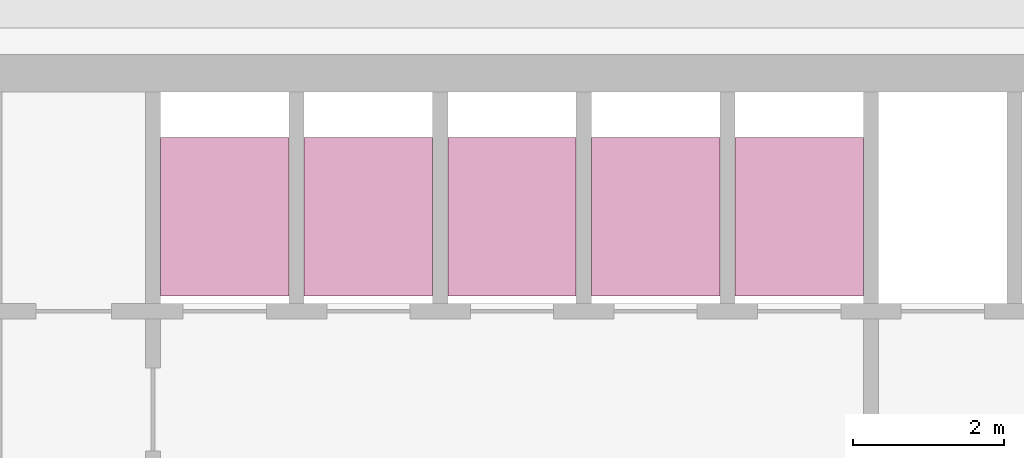
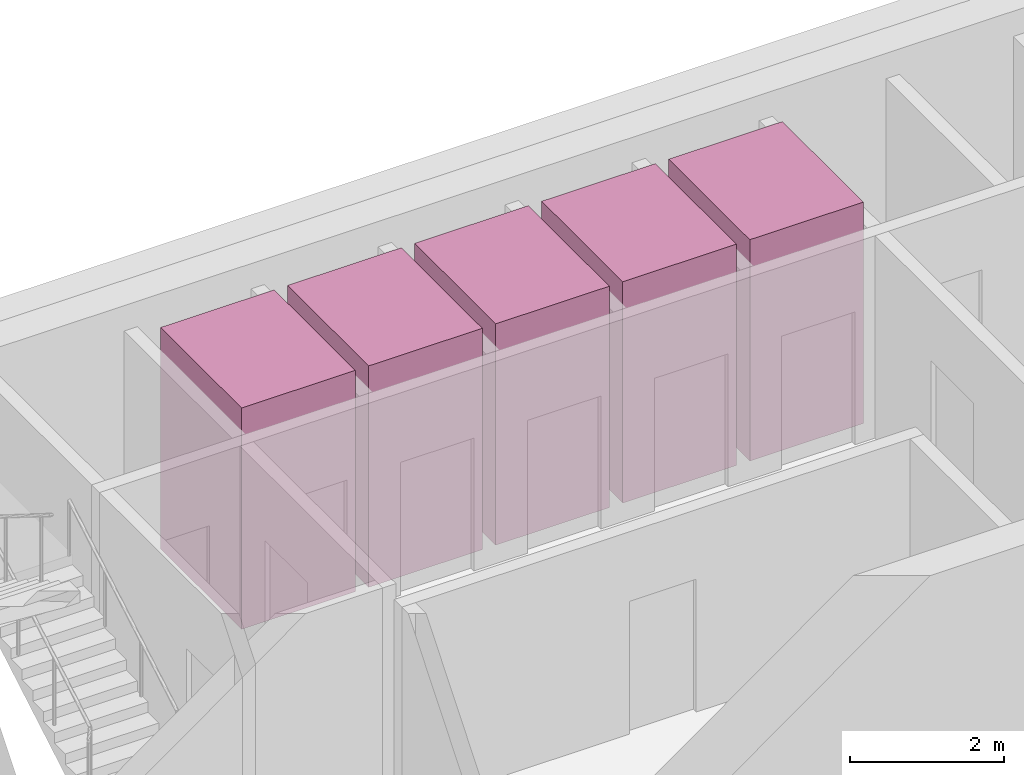
# One storey, part 9 of 9: 5 transport elements.
"""IFC4 building model written with IfcOpenShell, lengths in metres."""

from ifc_helpers import new_model, si_unit, direction, frame, origin, origin_2d, place, context, subcontext, project, spatial, rectangle, extrude, material, type_object, element, save


model = new_model("IFC4")

# Units and contexts
model_context = context("Model", 3, precision=1e-05, world=origin(), true_north=direction((0.0, 1.0)))
body_context = subcontext(model_context, "Body", "Model", "MODEL_VIEW")
ifc_project = project(units=[si_unit("LENGTHUNIT", "METRE"), si_unit("AREAUNIT", "SQUARE_METRE"), si_unit("VOLUMEUNIT", "CUBIC_METRE"), si_unit("PLANEANGLEUNIT", "RADIAN"), si_unit("MASSUNIT", "GRAM", prefix="KILO")], contexts=[model_context])

# Site, building, storey
site_placement = place(None, origin())
site = spatial("IfcSite", under=ifc_project, at=site_placement, CompositionType="ELEMENT")
building_placement = place(site_placement, origin())
building = spatial("IfcBuilding", under=site, at=building_placement, Name="Altiplano Prism Tower", CompositionType="ELEMENT")
storey_placement = place(building_placement, frame((0.0, 0.0, 309.39990234375)))
storey = spatial("IfcBuildingStorey", under=building, at=storey_placement, Name="L80", CompositionType="ELEMENT", Elevation=309.39990234375)

# Transport elements
ifc_material = material(Name="Stainless steel lift car", Category="steel")
transport_element_type = type_object("IfcTransportElementType", Name="Passenger lift car 1600 x 2100", PredefinedType="ELEVATOR", material=ifc_material)
for number, where, z_axis, x_axis, name in (
    (1, (79.050048828125, 101.75, 0.050048828125), (0.0, 0.0, 1.0), (1.0, 0.0, 0.0), "High Zone Passenger Lift 1"),
    (2, (80.949951171875, 101.75, 0.050048828125), (0.0, 0.0, 1.0), (1.0, 0.0, 0.0), "High Zone Passenger Lift 2"),
    (3, (82.85009765625, 101.75, 0.050048828125), (0.0, 0.0, 1.0), (1.0, 0.0, 0.0), "High Zone Passenger Lift 3"),
    (4, (84.75, 101.75, 0.050048828125), (0.0, 0.0, 1.0), (1.0, 0.0, 0.0), "High Zone Passenger Lift 4"),
    (5, (86.64990234375, 101.75, 0.050048828125), (0.0, 0.0, 1.0), (1.0, 0.0, 0.0), "High Zone Passenger Lift 5"),
):
    element("IfcTransportElement", number, at=place(storey_placement, frame(where, z_axis=z_axis, x_axis=x_axis)), inside=storey, type_object=transport_element_type, Name=name, PredefinedType="ELEVATOR", context=body_context, shape_type="SweptSolid", body=[
        extrude(rectangle(XDim=1.699951171875, YDim=2.10009765625, at=origin_2d()), origin(), (0.0, 0.0, 1.0), 3.5),
    ])

save(model, "model.ifc")
